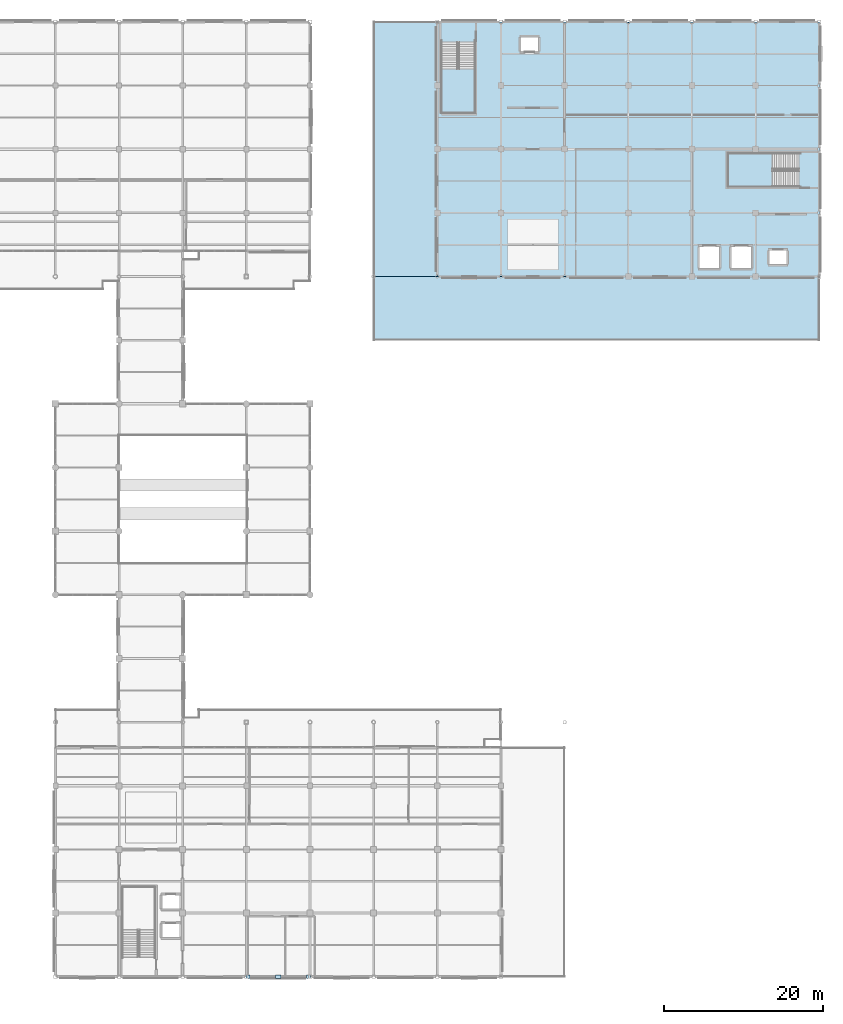
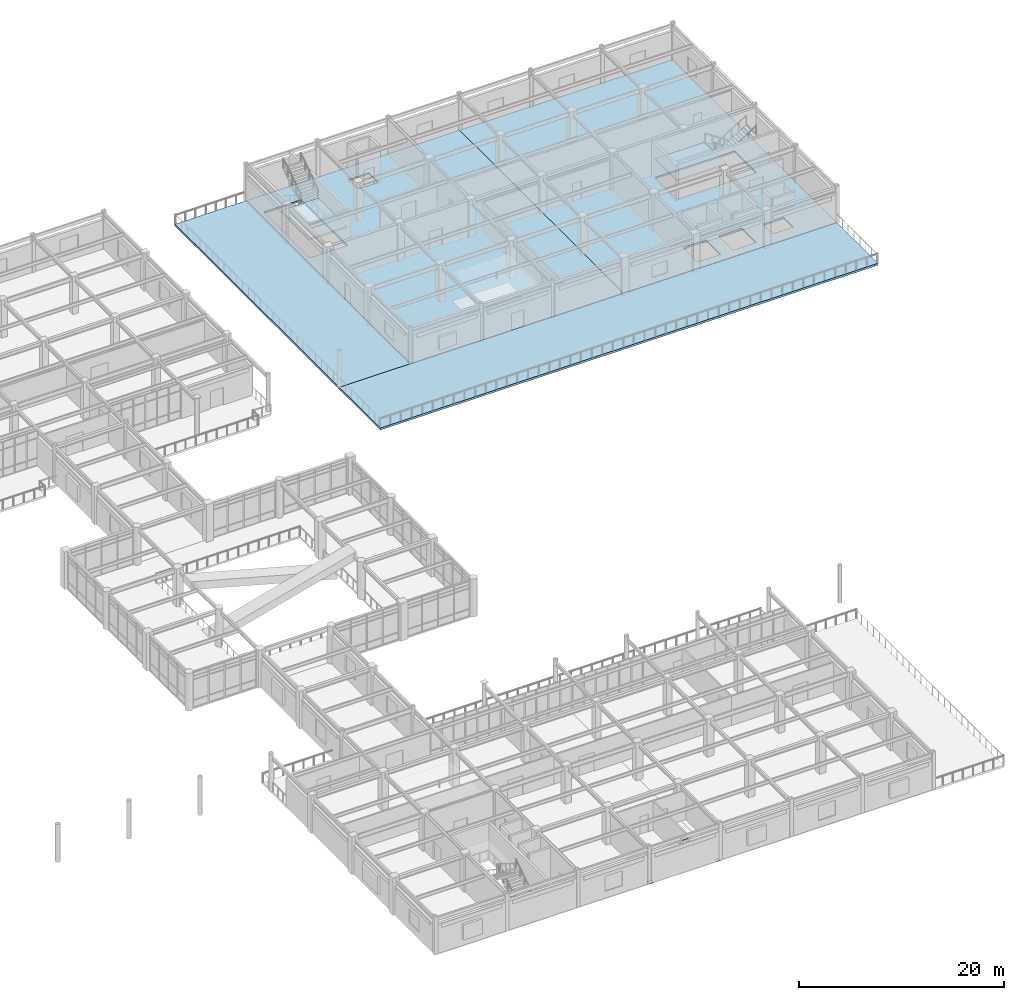
# One storey, part 53 of 75: 6 slabs, 3 plates, 2 elements without a shape of their own.
"""IFC4 building model written with IfcOpenShell, lengths in metres."""

import ifcopenshell
import ifcopenshell.guid

model = None  # the IFC model being written
_history = None  # IfcOwnerHistory: only IFC2X3 demands one
_inside = {}  # id of a spatial element -> (the spatial element, [elements in it])
_under = {}  # id of a project, library or spatial element -> (it, [spatial elements below it])
_declared = {}  # id of a project -> (the project, [libraries it declares])
_typed = {}  # id of a type object -> (the type object, [elements of that type])
_made_of = {}  # id of a material, layer set ... -> (it, [elements and type objects made of it])


def new_model(schema):
    """Start an empty IFC model of exactly this schema.

    Asked for "IFC4X3", IfcOpenShell would pick the latest addendum, in which some entities
    have other attributes; the version numbers below select the first issue.
    IFC2X3 requires an IfcOwnerHistory on every rooted entity: one is made here for all.
    """
    global model, _history
    if schema == "IFC4X3":
        model = ifcopenshell.file(schema_version=(4, 3, 0, 0))
    else:
        model = ifcopenshell.file(schema=schema)
    _inside.clear()
    _under.clear()
    _declared.clear()
    _typed.clear()
    _made_of.clear()
    _history = None
    if model.schema == "IFC2X3":
        org = make("IfcOrganization", Name="unknown")
        user = make(
            "IfcPersonAndOrganization",
            ThePerson=make("IfcPerson", FamilyName="unknown"),
            TheOrganization=org,
        )
        app = make(
            "IfcApplication",
            ApplicationDeveloper=org,
            Version="unknown",
            ApplicationFullName="unknown",
            ApplicationIdentifier="unknown",
        )
        _history = make(
            "IfcOwnerHistory",
            OwningUser=user,
            OwningApplication=app,
            ChangeAction="ADDED",
            CreationDate=0,
        )
    return model


def make(cls, **values):
    """One entity of the class cls with the attributes given. An attribute that is None is left unset."""
    return model.create_entity(
        cls, **{name: value for name, value in values.items() if value is not None}
    )


def rooted(cls, **values):
    """An entity with a GlobalId (a new one), such as an element, a storey or a relation."""
    return make(cls, GlobalId=ifcopenshell.guid.new(), OwnerHistory=_history, **values)


def si_unit(unit_type, name, prefix=None):
    """IfcSIUnit, for example si_unit("LENGTHUNIT", "METRE", prefix="MILLI")."""
    return make("IfcSIUnit", UnitType=unit_type, Prefix=prefix, Name=name)


def assignment(units):
    """IfcUnitAssignment: the units of a project."""
    return None if units is None else make("IfcUnitAssignment", Units=units)


def point(xyz):
    """IfcCartesianPoint."""
    return None if xyz is None else make("IfcCartesianPoint", Coordinates=xyz)


def direction(xyz):
    """IfcDirection."""
    return None if xyz is None else make("IfcDirection", DirectionRatios=xyz)


def frame(location, z_axis=None, x_axis=None):
    """IfcAxis2Placement3D, a coordinate frame: its origin and axes. An axis left out is left unset."""
    return make(
        "IfcAxis2Placement3D",
        Location=point(location),
        Axis=direction(z_axis),
        RefDirection=direction(x_axis),
    )


def frame_2d(location, x_axis=None):
    """IfcAxis2Placement2D, a coordinate frame in the plane: its origin and x axis."""
    return make(
        "IfcAxis2Placement2D", Location=point(location), RefDirection=direction(x_axis)
    )


def origin():
    """The frame at (0, 0, 0) with its axes left unset."""
    return frame((0.0, 0.0, 0.0))


def origin_2d():
    """The frame at (0, 0) in the plane with its x axis left unset."""
    return frame_2d((0.0, 0.0))


def place(relative_to, where):
    """IfcLocalPlacement: puts the frame where relative to a parent placement (None: the world)."""
    return make(
        "IfcLocalPlacement", PlacementRelTo=relative_to, RelativePlacement=where
    )


def context(
    kind, dimensions, precision=None, world=None, true_north=None, identifier=None
):
    """IfcGeometricRepresentationContext, for example the 3D "Model" context."""
    return make(
        "IfcGeometricRepresentationContext",
        ContextIdentifier=identifier,
        ContextType=kind,
        CoordinateSpaceDimension=dimensions,
        Precision=precision,
        WorldCoordinateSystem=world,
        TrueNorth=true_north,
    )


def subcontext(parent, identifier, kind, view, scale=None):
    """IfcGeometricRepresentationSubContext, for example "Body" below "Model"."""
    return make(
        "IfcGeometricRepresentationSubContext",
        ContextIdentifier=identifier,
        ContextType=kind,
        ParentContext=parent,
        TargetScale=scale,
        TargetView=view,
    )


def project(units=None, contexts=None):
    """IfcProject with its units and contexts."""
    return rooted(
        "IfcProject",
        Name="project",
        RepresentationContexts=contexts,
        UnitsInContext=assignment(units),
    )


def spatial(cls, under=None, at=None, **own):
    """A site, building, storey or space (cls), placed at a placement, below another one or the project."""
    s = rooted(cls, ObjectPlacement=at, **own)
    if under is not None:
        _under.setdefault(under.id(), (under, []))[1].append(s)
    return s


def polyline(points):
    """IfcPolyline through the points."""
    return make("IfcPolyline", Points=[point(p) for p in points])


def profile(cls, at=None, kind="AREA", **sizes):
    """A parametric profile (cls). Its sizes go by their IFC names, for example OverallWidth=200.0."""
    return make(cls, ProfileType=kind, Position=at, **sizes)


def rectangle(**sizes):
    """IfcRectangleProfileDef."""
    return profile("IfcRectangleProfileDef", **sizes)


def outline(outer, holes=None, kind="AREA"):
    """IfcArbitraryClosedProfileDef: a profile drawn as a closed curve; with holes, ...WithVoids."""
    if holes is None:
        return make("IfcArbitraryClosedProfileDef", ProfileType=kind, OuterCurve=outer)
    return make(
        "IfcArbitraryProfileDefWithVoids",
        ProfileType=kind,
        OuterCurve=outer,
        InnerCurves=holes,
    )


def extrude(swept, where, along, depth):
    """IfcExtrudedAreaSolid: the profile swept, set in the frame where, extruded along a direction by depth."""
    return make(
        "IfcExtrudedAreaSolid",
        SweptArea=swept,
        Position=where,
        ExtrudedDirection=direction(along),
        Depth=depth,
    )


def shape(context_of_items, identifier, shape_type, items):
    """IfcShapeRepresentation: the items that make up one representation, for example the "Body"."""
    return make(
        "IfcShapeRepresentation",
        ContextOfItems=context_of_items,
        RepresentationIdentifier=identifier,
        RepresentationType=shape_type,
        Items=items,
    )


def material(Name=None, Category=None):
    """IfcMaterial."""
    return make("IfcMaterial", Name=Name, Category=Category)


def layer(
    of_material, thickness, ventilated=None, Name=None, Category=None, Priority=None
):
    """IfcMaterialLayer: one layer of a wall or slab, of a material (None: an air gap)."""
    return make(
        "IfcMaterialLayer",
        Material=of_material,
        LayerThickness=thickness,
        IsVentilated=ventilated,
        Name=Name,
        Category=Category,
        Priority=Priority,
    )


def layer_set(layers, Name=None):
    """IfcMaterialLayerSet."""
    return make("IfcMaterialLayerSet", MaterialLayers=layers, LayerSetName=Name)


def made_of(thing, what):
    """Note that an element or type object is made of a material, layer set ...; save() writes the relation."""
    if what is not None:
        _made_of.setdefault(what.id(), (what, []))[1].append(thing)
    return thing


def type_object(cls, material=None, **own):
    """A type object (cls), such as IfcWallType, which elements share."""
    return made_of(rooted(cls, **own), material)


def element(
    cls,
    number,
    at=None,
    inside=None,
    cuts=None,
    type_object=None,
    material=None,
    context=None,
    identifier="Body",
    shape_type=None,
    held_by="IfcProductDefinitionShape",
    body=None,
    shapes=None,
    **own,
):
    """One element of the class cls, such as IfcWall. Its Tag is "e" and its number.

    at: its placement. inside: the storey or other place that contains it. cuts: it is an
    opening in that element (IfcRelVoidsElement). A single representation is given by context,
    identifier, shape_type and body (its items); several are given by shapes. held_by: the class
    of the entity that holds the representations. save() writes the other relations.
    """
    e = rooted(cls, Tag="e%d" % number, ObjectPlacement=at, **own)
    if body is not None:
        shapes = [shape(context, identifier, shape_type, body)]
    if shapes is not None:
        e.Representation = make(held_by, Representations=shapes)
    if inside is not None:
        _inside.setdefault(inside.id(), (inside, []))[1].append(e)
    if cuts is not None:
        rooted(
            "IfcRelVoidsElement", RelatingBuildingElement=cuts, RelatedOpeningElement=e
        )
    if type_object is not None:
        _typed.setdefault(type_object.id(), (type_object, []))[1].append(e)
    return made_of(e, material)


def aggregate(whole, parts):
    """IfcRelAggregates: a whole, such as a stair, and the parts it consists of."""
    return rooted("IfcRelAggregates", RelatingObject=whole, RelatedObjects=parts)


def save(model, path):
    """Write the relations noted so far, then the file.

    IfcRelAggregates (storeys below a building ...), IfcRelContainedInSpatialStructure (elements
    in a storey), IfcRelDefinesByType, IfcRelAssociatesMaterial and IfcRelDeclares: one each for
    every whole, place, type object, material and project.
    """
    for whole, parts in _under.values():
        aggregate(whole, parts)
    for where, things in _inside.values():
        rooted(
            "IfcRelContainedInSpatialStructure",
            RelatedElements=things,
            RelatingStructure=where,
        )
    for kind, things in _typed.values():
        rooted("IfcRelDefinesByType", RelatedObjects=things, RelatingType=kind)
    for what, things in _made_of.values():
        rooted("IfcRelAssociatesMaterial", RelatedObjects=things, RelatingMaterial=what)
    for by, libraries in _declared.values():
        rooted("IfcRelDeclares", RelatingContext=by, RelatedDefinitions=libraries)
    model.write(path)


model = new_model("IFC4")

# Units and contexts
model_context = context("Model", 3, precision=1e-05, world=origin(), true_north=direction((0.0, 1.0)))
body_context = subcontext(model_context, "Body", "Model", "MODEL_VIEW")
ifc_project = project(units=[si_unit("LENGTHUNIT", "METRE"), si_unit("AREAUNIT", "SQUARE_METRE"), si_unit("VOLUMEUNIT", "CUBIC_METRE"), si_unit("PLANEANGLEUNIT", "RADIAN"), si_unit("MASSUNIT", "GRAM", prefix="KILO")], contexts=[model_context])

# Site, building, storey
site_placement = place(None, origin())
site = spatial("IfcSite", under=ifc_project, at=site_placement, CompositionType="ELEMENT")
building_placement = place(site_placement, origin())
building = spatial("IfcBuilding", under=site, at=building_placement, Name="Solmirada Galleria", CompositionType="ELEMENT")
storey_placement = place(building_placement, frame((0.0, 0.0, 19.39990234375)))
storey = spatial("IfcBuildingStorey", under=building, at=storey_placement, Name="L04", CompositionType="ELEMENT", Elevation=19.39990234375)

# Plates
ifc_material_1 = material(Name="Steel S355 / ASTM A572 Grade 50", Category="steel")
ifc_layer_1 = layer(ifc_material_1, 0.028076171875)
ifc_layer_set_1 = layer_set([ifc_layer_1], Name="Steel S355 / ASTM A572 Grade 50")
plate_type_1 = type_object("IfcPlateType", Name="PLT-NODE-02", PredefinedType="SHEET", material=ifc_layer_set_1)
for number, where, z_axis, x_axis, name in (
    (1, (104.202880859375, 0.0, 0.005859375), (0.0, 0.0, 1.0), (1.0, 0.0, 0.0), "Braced frame gusset plate CBF-S1 L04 LA"),
    (2, (111.797119140625, 0.0, 0.005859375), (0.0, 0.0, 1.0), (1.0, 0.0, 0.0), "Braced frame gusset plate CBF-S1 L04 RA"),
):
    element("IfcPlate", number, at=place(storey_placement, frame(where, z_axis=z_axis, x_axis=x_axis)), inside=storey, type_object=plate_type_1, Name=name, PredefinedType="SHEET", context=body_context, shape_type="SweptSolid", body=[
        extrude(rectangle(XDim=0.47998046875, YDim=0.47998046875, at=origin_2d()), origin(), (0.0, 0.0, 1.0), 0.028076171875),
    ])
ifc_layer_2 = layer(ifc_material_1, 0.035888671875)
ifc_layer_set_2 = layer_set([ifc_layer_2], Name="Steel S355 / ASTM A572 Grade 50")
plate_type_2 = type_object("IfcPlateType", Name="PLT-NODE-04", PredefinedType="SHEET", material=ifc_layer_set_2)
plate_placement = place(storey_placement, frame((108.0, 0.0, 3.8623046875), z_axis=(0.0, 0.0, 1.0), x_axis=(1.0, 0.0, 0.0)))
element("IfcPlate", 3, at=plate_placement, inside=storey, type_object=plate_type_2, Name="Braced frame gusset plate CBF-S1 L04 AP", PredefinedType="SHEET", context=body_context, shape_type="SweptSolid", body=[
    extrude(rectangle(XDim=0.64990234375, YDim=0.449951171875, at=origin_2d()), origin(), (0.0, 0.0, 1.0), 0.035888671875),
])

# Slabs
ifc_material_2 = material(Name="Concrete C35/45", Category="concrete")
ifc_layer_3 = layer(ifc_material_2, 0.199951171875)
ifc_layer_set_3 = layer_set([ifc_layer_3], Name="Concrete C35/45")
slab_type_1 = type_object("IfcSlabType", Name="SLB-FLOOR-200", PredefinedType="FLOOR", material=ifc_layer_set_3)
slab_1_placement = place(storey_placement, frame((0.0, 0.0, -0.199951171875)))
element("IfcSlab", 4, at=slab_1_placement, inside=storey, type_object=slab_type_1, Name="Slab L04-NE-W", PredefinedType="FLOOR", context=body_context, shape_type="SweptSolid", body=[
    extrude(outline(polyline([(128.0, 88.0), (152.0, 88.0), (152.0, 120.0), (128.0, 120.0), (128.0, 88.0)]), holes=[polyline([(128.5, 108.5), (132.75, 108.5), (132.75, 117.449951171875), (128.5, 117.449951171875), (128.5, 108.5)]), polyline([(138.449951171875, 116.27490234375), (140.75, 116.27490234375), (140.75, 118.125), (138.449951171875, 118.125), (138.449951171875, 116.27490234375)])]), origin(), (0.0, 0.0, 1.0), 0.199951171875),
])
slab_2_placement = place(storey_placement, frame((0.0, 0.0, -0.199951171875)))
element("IfcSlab", 5, at=slab_2_placement, inside=storey, type_object=slab_type_1, Name="Slab L04-NE-E", PredefinedType="FLOOR", context=body_context, shape_type="SweptSolid", body=[
    extrude(outline(polyline([(152.0, 88.0), (176.0, 88.0), (176.0, 120.0), (152.0, 120.0), (152.0, 88.0)]), holes=[polyline([(164.5, 99.25), (173.449951171875, 99.25), (173.449951171875, 103.5), (164.5, 103.5), (164.5, 99.25)]), polyline([(169.64990234375, 89.47509765625), (171.949951171875, 89.47509765625), (171.949951171875, 91.324951171875), (169.64990234375, 91.324951171875), (169.64990234375, 89.47509765625)]), polyline([(164.89990234375, 89.0), (167.5, 89.0), (167.5, 91.800048828125), (164.89990234375, 91.800048828125), (164.89990234375, 89.0)]), polyline([(160.89990234375, 89.0), (163.5, 89.0), (163.5, 91.800048828125), (160.89990234375, 91.800048828125), (160.89990234375, 89.0)])]), origin(), (0.0, 0.0, 1.0), 0.199951171875),
])

# Stair, slab
stair_type = type_object("IfcStairType", Name="STR-DOG-205-H45", PredefinedType="HALF_TURN_STAIR", material=ifc_material_2)
stair_1_placement = place(storey_placement, origin())
stair_1 = element("IfcStair", 6, at=stair_1_placement, inside=storey, type_object=stair_type, Name="L04 North Avenue High-Rise Core Exit Stair ST3", PredefinedType="HALF_TURN_STAIR")
ifc_layer_4 = layer(ifc_material_2, 0.199951171875)
ifc_layer_set_4 = layer_set([ifc_layer_4], Name="Concrete C35/45")
slab_type_2 = type_object("IfcSlabType", Name="SLB-LAND-200", PredefinedType="LANDING", material=ifc_layer_set_4)
slab_3_placement = place(storey_placement, frame((0.0, 0.0, 2.050048828125)))
slab_3 = element("IfcSlab", 7, at=slab_3_placement, type_object=slab_type_2, Name="ST3 landing 1", PredefinedType="LANDING", context=body_context, shape_type="SweptSolid", body=[
    extrude(outline(polyline([(128.5, 114.090087890625), (128.5, 108.5), (132.75, 108.5), (132.75, 114.090087890625), (128.5, 114.090087890625)])), origin(), (0.0, 0.0, 1.0), 0.199951171875),
])
aggregate(stair_1, [slab_3])

stair_2_placement = place(storey_placement, origin())
stair_2 = element("IfcStair", 8, at=stair_2_placement, inside=storey, type_object=stair_type, Name="L04 East Avenue High-Rise and Freight Core Exit Stair ST4", PredefinedType="HALF_TURN_STAIR")
slab_4_placement = place(storey_placement, frame((0.0, 0.0, 2.050048828125)))
slab_4 = element("IfcSlab", 9, at=slab_4_placement, type_object=slab_type_2, Name="ST4 landing 1", PredefinedType="LANDING", context=body_context, shape_type="SweptSolid", body=[
    extrude(outline(polyline([(170.090087890625, 103.5), (164.5, 103.5), (164.5, 99.25), (170.090087890625, 99.25), (170.090087890625, 103.5)])), origin(), (0.0, 0.0, 1.0), 0.199951171875),
])
aggregate(stair_2, [slab_4])

# Slabs
ifc_layer_5 = layer(ifc_material_2, 0.239990234375)
ifc_layer_set_5 = layer_set([ifc_layer_5], Name="Concrete C35/45")
slab_type_3 = type_object("IfcSlabType", Name="SLB-TERR-240", PredefinedType="FLOOR", material=ifc_layer_set_5)
slab_5_placement = place(storey_placement, frame((0.0, 0.0, -0.239990234375)))
element("IfcSlab", 10, at=slab_5_placement, inside=storey, type_object=slab_type_3, Name="Slab L04-TERR-WING1", PredefinedType="FLOOR", context=body_context, shape_type="SweptSolid", body=[
    extrude(outline(polyline([(120.0, 80.0), (176.0, 80.0), (176.0, 88.0), (120.0, 88.0), (120.0, 80.0)])), origin(), (0.0, 0.0, 1.0), 0.239990234375),
])
slab_6_placement = place(storey_placement, frame((0.0, 0.0, -0.239990234375)))
element("IfcSlab", 11, at=slab_6_placement, inside=storey, type_object=slab_type_3, Name="Slab L04-TERR-WING2", PredefinedType="FLOOR", context=body_context, shape_type="SweptSolid", body=[
    extrude(outline(polyline([(120.0, 88.0), (128.0, 88.0), (128.0, 120.0), (120.0, 120.0), (120.0, 88.0)])), origin(), (0.0, 0.0, 1.0), 0.239990234375),
])

save(model, "model.ifc")
